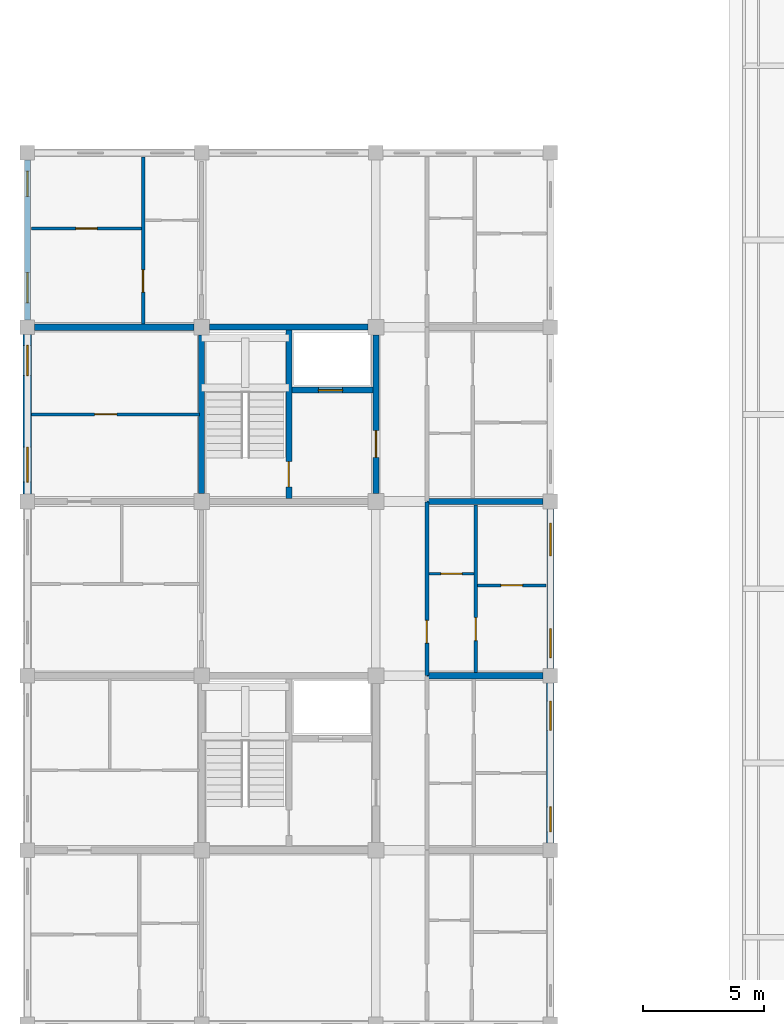
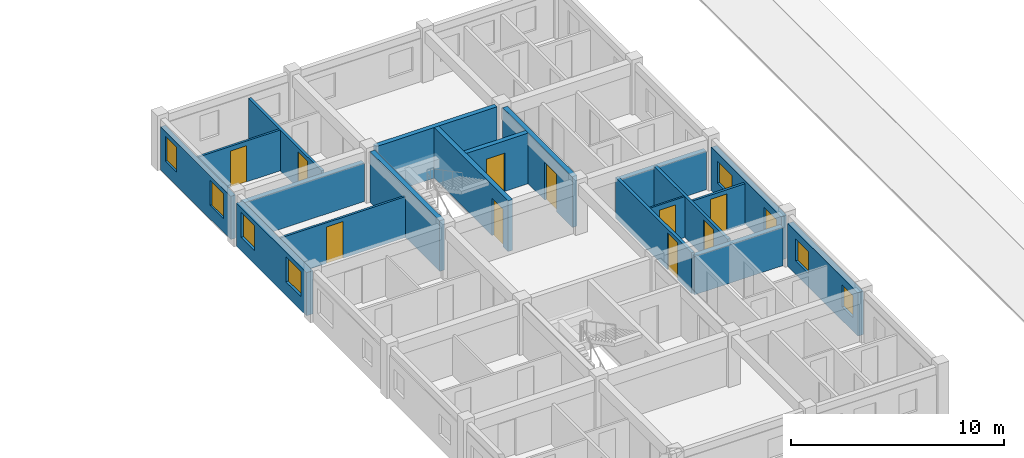
# One storey, part 26 of 50: 19 walls, 10 doors, 8 windows, 18 openings.
"""IFC4 building model written with IfcOpenShell, lengths in metres."""

from ifc_helpers import new_model, si_unit, direction, frame, frame_2d, origin, place, context, subcontext, project, spatial, rectangle, extrude, material, layer, layer_set, type_object, element, fill, save


model = new_model("IFC4")

# Units and contexts
model_context = context("Model", 3, precision=1e-05, world=origin(), true_north=direction((0.0, 1.0)))
body_context = subcontext(model_context, "Body", "Model", "MODEL_VIEW")
ifc_project = project(units=[si_unit("LENGTHUNIT", "METRE"), si_unit("AREAUNIT", "SQUARE_METRE"), si_unit("VOLUMEUNIT", "CUBIC_METRE"), si_unit("PLANEANGLEUNIT", "RADIAN"), si_unit("MASSUNIT", "GRAM", prefix="KILO"), si_unit("THERMODYNAMICTEMPERATUREUNIT", "KELVIN"), si_unit("POWERUNIT", "WATT")], contexts=[model_context])

# Site, building, storey
site_placement = place(None, origin())
site = spatial("IfcSite", under=ifc_project, at=site_placement, CompositionType="ELEMENT")
building_placement = place(site_placement, origin())
building = spatial("IfcBuilding", under=site, at=building_placement, Name="Tavuni Mirador Residences", CompositionType="ELEMENT")
storey_placement = place(building_placement, frame((0.0, 0.0, 4.5)))
storey = spatial("IfcBuildingStorey", under=building, at=storey_placement, Name="L01", CompositionType="ELEMENT", Elevation=4.5)

# Walls
ifc_material_1 = material(Name="Precast concrete C40/50", Category="concrete")
ifc_layer_1 = layer(ifc_material_1, 0.25, Name="Precast concrete C40/50", Category="concrete")
ifc_layer_set_1 = layer_set([ifc_layer_1], Name="Precast concrete C40/50")
wall_type_1 = type_object("IfcWallType", Name="WT-COR250", PredefinedType="SHEAR", material=ifc_layer_set_1)
wall_1_placement = place(storey_placement, frame((10.800048828125, 86.72509765625, 0.0), z_axis=(0.0, 0.0, 1.0), x_axis=(0.0, 1.0, 0.0)))
element("IfcWall", 1, at=wall_1_placement, inside=storey, type_object=wall_type_1, Name="CWALL-C4-L01-W", PredefinedType="SHEAR", context=body_context, shape_type="SweptSolid", body=[
    extrude(rectangle(XDim=6.5498046875, YDim=0.25, at=frame_2d((3.27490234375, 0.0))), origin(), (0.0, 0.0, 1.0), 2.909912109375),
])
wall_2_placement = place(storey_placement, frame((11.125, 93.60009765625, 0.0), z_axis=(0.0, 0.0, 1.0), x_axis=(1.0, 0.0, 0.0)))
element("IfcWall", 2, at=wall_2_placement, inside=storey, type_object=wall_type_1, Name="CWALL-C4-L01-N", PredefinedType="SHEAR", context=body_context, shape_type="SweptSolid", body=[
    extrude(rectangle(XDim=6.550048828125, YDim=0.25, at=frame_2d((3.27490234375, 0.0))), origin(), (0.0, 0.0, 1.0), 2.909912109375),
])

# Wall, opening, door
wall_3_placement = place(storey_placement, frame((18.0, 86.72509765625, 0.0), z_axis=(0.0, 0.0, 1.0), x_axis=(0.0, 1.0, 0.0)))
wall_3 = element("IfcWall", 3, at=wall_3_placement, inside=storey, type_object=wall_type_1, Name="CWALL-C4-L01-E", PredefinedType="SHEAR", context=body_context, shape_type="SweptSolid", body=[
    extrude(rectangle(XDim=6.5498046875, YDim=0.25, at=frame_2d((3.27490234375, 0.0))), origin(), (0.0, 0.0, 1.0), 2.909912109375),
])
opening_1_placement = place(wall_3_placement, frame((1.5, 0.0, 0.0)))
opening_1 = element("IfcOpeningElement", 4, at=opening_1_placement, cuts=wall_3, Name="Opening D-02", PredefinedType="OPENING", context=body_context, shape_type="SweptSolid", body=[
    extrude(rectangle(XDim=1.10009765625, YDim=2.14990234375, at=frame_2d((0.550048828125, 1.074951171875))), frame((0.0, 0.135009765625, 0.0), z_axis=(0.0, -1.0, 0.0), x_axis=(1.0, 0.0, 0.0)), (0.0, 0.0, 1.0), 0.27001953125),
])
ifc_material_2 = material(Name="Solid core iroko timber", Category="wood")
door_type_1 = type_object("IfcDoorType", Name="DT-LOB1100", OperationType="NOTDEFINED", PredefinedType="DOOR", material=ifc_material_2)
door_1_placement = place(opening_1_placement, frame((1.10009765625, 0.0, 0.0), z_axis=(0.0, 0.0, 1.0), x_axis=(-1.0, 0.0, 0.0)))
door_1 = element("IfcDoor", 5, at=door_1_placement, inside=storey, type_object=door_type_1, Name="DR-2147", OperationType="SINGLE_SWING_RIGHT", OverallHeight=2.14990234375, OverallWidth=1.10009765625, PredefinedType="DOOR", context=body_context, shape_type="SweptSolid", body=[
    extrude(rectangle(XDim=1.10009765625, YDim=2.14990234375, at=frame_2d((0.550048828125, 1.074951171875))), frame((0.0, 0.02490234375, 0.0), z_axis=(0.0, -1.0, 0.0), x_axis=(1.0, 0.0, 0.0)), (0.0, 0.0, 1.0), 0.050048828125),
])
fill(opening_1, door_1)

wall_4_placement = place(storey_placement, frame((14.39990234375, 86.52490234375, 0.0), z_axis=(0.0, 0.0, 1.0), x_axis=(0.0, 1.0, 0.0)))
wall_4 = element("IfcWall", 6, at=wall_4_placement, inside=storey, type_object=wall_type_1, Name="CWALL-C4-L01-MID", PredefinedType="SHEAR", context=body_context, shape_type="SweptSolid", body=[
    extrude(rectangle(XDim=6.9501953125, YDim=0.25, at=frame_2d((3.47509765625, 0.0))), origin(), (0.0, 0.0, 1.0), 2.909912109375),
])
opening_2_placement = place(wall_4_placement, frame((0.47509765625, 0.0, 0.0)))
opening_2 = element("IfcOpeningElement", 7, at=opening_2_placement, cuts=wall_4, Name="Opening D-01", PredefinedType="OPENING", context=body_context, shape_type="SweptSolid", body=[
    extrude(rectangle(XDim=1.050048828125, YDim=2.14990234375, at=frame_2d((0.52490234375, 1.074951171875))), frame((0.0, 0.135009765625, 0.0), z_axis=(0.0, -1.0, 0.0), x_axis=(1.0, 0.0, 0.0)), (0.0, 0.0, 1.0), 0.27001953125),
])
door_type_2 = type_object("IfcDoorType", Name="DT-ST1050", OperationType="NOTDEFINED", PredefinedType="DOOR", material=ifc_material_2)
door_2_placement = place(opening_2_placement, origin())
door_2 = element("IfcDoor", 8, at=door_2_placement, inside=storey, type_object=door_type_2, Name="DR-2148", OperationType="SINGLE_SWING_RIGHT", OverallHeight=2.14990234375, OverallWidth=1.050048828125, PredefinedType="DOOR", context=body_context, shape_type="SweptSolid", body=[
    extrude(rectangle(XDim=1.050048828125, YDim=2.14990234375, at=frame_2d((0.52490234375, 1.074951171875))), frame((0.0, 0.02490234375, 0.0), z_axis=(0.0, -1.0, 0.0), x_axis=(1.0, 0.0, 0.0)), (0.0, 0.0, 1.0), 0.050048828125),
])
fill(opening_2, door_2)

wall_5_placement = place(storey_placement, frame((14.52490234375, 91.0, 0.0), z_axis=(0.0, 0.0, 1.0), x_axis=(1.0, 0.0, 0.0)))
wall_5 = element("IfcWall", 9, at=wall_5_placement, inside=storey, type_object=wall_type_1, Name="CWALL-C4-L01-SHF", PredefinedType="SHEAR", context=body_context, shape_type="SweptSolid", body=[
    extrude(rectangle(XDim=3.35009765625, YDim=0.25, at=frame_2d((1.675048828125, 0.0))), origin(), (0.0, 0.0, 1.0), 2.909912109375),
])
opening_3_placement = place(wall_5_placement, frame((1.10009765625, 0.0, 0.0)))
opening_3 = element("IfcOpeningElement", 10, at=opening_3_placement, cuts=wall_5, Name="Opening LD-02", PredefinedType="OPENING", context=body_context, shape_type="SweptSolid", body=[
    extrude(rectangle(XDim=1.0, YDim=2.199951171875, at=frame_2d((0.5, 1.10009765625))), frame((0.0, 0.135009765625, 0.0), z_axis=(0.0, -1.0, 0.0), x_axis=(1.0, 0.0, 0.0)), (0.0, 0.0, 1.0), 0.27001953125),
])
ifc_material_3 = material(Name="Structural steel S355", Category="steel")
door_type_3 = type_object("IfcDoorType", Name="DT-LD-PAX", OperationType="SLIDING_TO_LEFT", PredefinedType="DOOR", material=ifc_material_3)
door_3_placement = place(opening_3_placement, origin())
door_3 = element("IfcDoor", 11, at=door_3_placement, inside=storey, type_object=door_type_3, Name="Lift landing door PL-B2 L01", OperationType="SLIDING_TO_LEFT", OverallHeight=2.199951171875, OverallWidth=1.0, PredefinedType="DOOR", context=body_context, shape_type="SweptSolid", body=[
    extrude(rectangle(XDim=1.0, YDim=2.199951171875, at=frame_2d((0.5, 1.10009765625))), frame((0.0, 0.02490234375, 0.0), z_axis=(0.0, -1.0, 0.0), x_axis=(1.0, 0.0, 0.0)), (0.0, 0.0, 1.0), 0.050048828125),
])
fill(opening_3, door_3)

ifc_layer_2 = layer(ifc_material_1, 0.1650390625, Name="Precast concrete C40/50", Category="concrete")
ifc_layer_set_2 = layer_set([ifc_layer_2], Name="Precast concrete C40/50")
wall_type_2 = type_object("IfcWallType", Name="WT-CORR165", PredefinedType="PARTITIONING", material=ifc_layer_set_2)
wall_6_placement = place(storey_placement, frame((20.10009765625, 79.219970703125, 0.0), z_axis=(0.0, 0.0, 1.0), x_axis=(0.0, 1.0, 0.0)))
wall_6 = element("IfcWall", 12, at=wall_6_placement, inside=storey, type_object=wall_type_2, Name="CORW-BLK-B-L01-0-02", PredefinedType="PARTITIONING", context=body_context, shape_type="SweptSolid", body=[
    extrude(rectangle(XDim=7.159912109375, YDim=0.1650390625, at=frame_2d((3.580078125, 0.0))), origin(), (0.0, 0.0, 1.0), 2.344970703125),
])
opening_4_placement = place(wall_6_placement, frame((1.330078125, 0.0, 0.0)))
opening_4 = element("IfcOpeningElement", 13, at=opening_4_placement, cuts=wall_6, Name="Opening D-19", PredefinedType="OPENING", context=body_context, shape_type="SweptSolid", body=[
    extrude(rectangle(XDim=0.93994140625, YDim=2.1201171875, at=frame_2d((0.469970703125, 1.06005859375))), frame((0.0, 0.092529296875, 0.0), z_axis=(0.0, -1.0, 0.0), x_axis=(1.0, 0.0, 0.0)), (0.0, 0.0, 1.0), 0.18505859375),
])
door_type_4 = type_object("IfcDoorType", Name="DT-FD60-940", OperationType="NOTDEFINED", PredefinedType="DOOR", material=ifc_material_2)
door_4_placement = place(opening_4_placement, origin())
door_4 = element("IfcDoor", 14, at=door_4_placement, inside=storey, type_object=door_type_4, Name="DR-2539", OperationType="SINGLE_SWING_RIGHT", OverallHeight=2.1201171875, OverallWidth=0.93994140625, PredefinedType="DOOR", context=body_context, shape_type="SweptSolid", body=[
    extrude(rectangle(XDim=0.93994140625, YDim=2.1201171875, at=frame_2d((0.469970703125, 1.06005859375))), frame((0.0, 0.02490234375, 0.0), z_axis=(0.0, -1.0, 0.0), x_axis=(1.0, 0.0, 0.0)), (0.0, 0.0, 1.0), 0.050048828125),
])
fill(opening_4, door_4)

# Wall, openings, windows
ifc_material_4 = material(Name="Sgraffito lime-rendered precast concrete C40/50", Category="concrete")
ifc_layer_3 = layer(ifc_material_4, 0.2548828125, Name="Sgraffito lime-rendered precast concrete C40/50", Category="concrete")
ifc_layer_set_3 = layer_set([ifc_layer_3], Name="Sgraffito lime-rendered precast concrete C40/50")
wall_type_3 = type_object("IfcWallType", Name="WT-EXT-PC255", PredefinedType="SOLIDWALL", material=ifc_layer_set_3)
wall_7_placement = place(storey_placement, frame((3.60009765625, 100.5, 0.0), z_axis=(0.0, 0.0, 1.0), x_axis=(0.0, -1.0, 0.0)))
wall_7 = element("IfcWall", 15, at=wall_7_placement, inside=storey, type_object=wall_type_3, Name="EW-BLK-B-L01-W04", PredefinedType="SOLIDWALL", context=body_context, shape_type="SweptSolid", body=[
    extrude(rectangle(XDim=6.60009765625, YDim=0.2548828125, at=frame_2d((3.300048828125, 0.0))), origin(), (0.0, 0.0, 1.0), 2.47998046875),
])
opening_5_placement = place(wall_7_placement, frame((0.449951171875, 0.0, 0.780029296875)))
opening_5 = element("IfcOpeningElement", 16, at=opening_5_placement, cuts=wall_7, Name="Opening WN-26", PredefinedType="OPENING", context=body_context, shape_type="SweptSolid", body=[
    extrude(rectangle(XDim=1.050048828125, YDim=1.43994140625, at=frame_2d((0.52490234375, 0.719970703125))), frame((0.0, 0.137451171875, 0.0), z_axis=(0.0, -1.0, 0.0), x_axis=(1.0, 0.0, 0.0)), (0.0, 0.0, 1.0), 0.27490234375),
])
opening_6_placement = place(wall_7_placement, frame((4.64990234375, 0.0, 0.780029296875)))
opening_6 = element("IfcOpeningElement", 17, at=opening_6_placement, cuts=wall_7, Name="Opening WN-28", PredefinedType="OPENING", context=body_context, shape_type="SweptSolid", body=[
    extrude(rectangle(XDim=1.25, YDim=1.43994140625, at=frame_2d((0.625, 0.719970703125))), frame((0.0, 0.137451171875, 0.0), z_axis=(0.0, -1.0, 0.0), x_axis=(1.0, 0.0, 0.0)), (0.0, 0.0, 1.0), 0.27490234375),
])
ifc_material_5 = material(Name="Laminated solar-control glass", Category="glass")
window_type_1 = type_object("IfcWindowType", Name="WNT-26", PartitioningType="SINGLE_PANEL", PredefinedType="WINDOW", material=ifc_material_5)
window_1_placement = place(opening_5_placement, origin())
window_1 = element("IfcWindow", 18, at=window_1_placement, inside=storey, type_object=window_type_1, Name="WIN-0594", OverallHeight=1.43994140625, OverallWidth=1.050048828125, PartitioningType="SINGLE_PANEL", PredefinedType="WINDOW", context=body_context, shape_type="SweptSolid", body=[
    extrude(rectangle(XDim=1.050048828125, YDim=1.43994140625, at=frame_2d((0.52490234375, 0.719970703125))), frame((0.0, 0.030029296875, 0.0), z_axis=(0.0, -1.0, 0.0), x_axis=(1.0, 0.0, 0.0)), (0.0, 0.0, 1.0), 0.06005859375),
])
fill(opening_5, window_1)
window_type_2 = type_object("IfcWindowType", Name="WNT-28", PartitioningType="SINGLE_PANEL", PredefinedType="WINDOW", material=ifc_material_5)
window_2_placement = place(opening_6_placement, origin())
window_2 = element("IfcWindow", 19, at=window_2_placement, inside=storey, type_object=window_type_2, Name="WIN-0595", OverallHeight=1.43994140625, OverallWidth=1.25, PartitioningType="SINGLE_PANEL", PredefinedType="WINDOW", context=body_context, shape_type="SweptSolid", body=[
    extrude(rectangle(XDim=1.25, YDim=1.43994140625, at=frame_2d((0.625, 0.719970703125))), frame((0.0, 0.030029296875, 0.0), z_axis=(0.0, -1.0, 0.0), x_axis=(1.0, 0.0, 0.0)), (0.0, 0.0, 1.0), 0.06005859375),
])
fill(opening_6, window_2)

ifc_layer_4 = layer(ifc_material_4, 0.2900390625, Name="Sgraffito lime-rendered precast concrete C40/50", Category="concrete")
ifc_layer_set_4 = layer_set([ifc_layer_4], Name="Sgraffito lime-rendered precast concrete C40/50")
wall_type_4 = type_object("IfcWallType", Name="WT-EXT-PC290", PredefinedType="SOLIDWALL", material=ifc_layer_set_4)
wall_8_placement = place(storey_placement, frame((25.199951171875, 79.5, 0.0), z_axis=(0.0, 0.0, 1.0), x_axis=(0.0, 1.0, 0.0)))
wall_8 = element("IfcWall", 20, at=wall_8_placement, inside=storey, type_object=wall_type_4, Name="EW-BLK-B-L01-E02", PredefinedType="SOLIDWALL", context=body_context, shape_type="SweptSolid", body=[
    extrude(rectangle(XDim=6.60009765625, YDim=0.2900390625, at=frame_2d((3.300048828125, 0.0))), origin(), (0.0, 0.0, 1.0), 2.47998046875),
])
opening_7_placement = place(wall_8_placement, frame((0.449951171875, 0.0, 0.780029296875)))
opening_7 = element("IfcOpeningElement", 21, at=opening_7_placement, cuts=wall_8, Name="Opening WN-13", PredefinedType="OPENING", context=body_context, shape_type="SweptSolid", body=[
    extrude(rectangle(XDim=1.199951171875, YDim=1.260009765625, at=frame_2d((0.60009765625, 0.6298828125))), frame((0.0, 0.155029296875, 0.0), z_axis=(0.0, -1.0, 0.0), x_axis=(1.0, 0.0, 0.0)), (0.0, 0.0, 1.0), 0.31005859375),
])
opening_8_placement = place(wall_8_placement, frame((4.64990234375, 0.0, 0.780029296875)))
opening_8 = element("IfcOpeningElement", 22, at=opening_8_placement, cuts=wall_8, Name="Opening WN-15", PredefinedType="OPENING", context=body_context, shape_type="SweptSolid", body=[
    extrude(rectangle(XDim=1.360107421875, YDim=1.260009765625, at=frame_2d((0.68017578125, 0.6298828125))), frame((0.0, 0.155029296875, 0.0), z_axis=(0.0, -1.0, 0.0), x_axis=(1.0, 0.0, 0.0)), (0.0, 0.0, 1.0), 0.31005859375),
])
window_type_3 = type_object("IfcWindowType", Name="WNT-13", PartitioningType="SINGLE_PANEL", PredefinedType="WINDOW", material=ifc_material_5)
window_3_placement = place(opening_7_placement, origin())
window_3 = element("IfcWindow", 23, at=window_3_placement, inside=storey, type_object=window_type_3, Name="WIN-0581", OverallHeight=1.260009765625, OverallWidth=1.199951171875, PartitioningType="SINGLE_PANEL", PredefinedType="WINDOW", context=body_context, shape_type="SweptSolid", body=[
    extrude(rectangle(XDim=1.199951171875, YDim=1.260009765625, at=frame_2d((0.60009765625, 0.6298828125))), frame((0.0, 0.030029296875, 0.0), z_axis=(0.0, -1.0, 0.0), x_axis=(1.0, 0.0, 0.0)), (0.0, 0.0, 1.0), 0.06005859375),
])
fill(opening_7, window_3)
window_type_4 = type_object("IfcWindowType", Name="WNT-15", PartitioningType="SINGLE_PANEL", PredefinedType="WINDOW", material=ifc_material_5)
window_4_placement = place(opening_8_placement, origin())
window_4 = element("IfcWindow", 24, at=window_4_placement, inside=storey, type_object=window_type_4, Name="WIN-0582", OverallHeight=1.260009765625, OverallWidth=1.360107421875, PartitioningType="SINGLE_PANEL", PredefinedType="WINDOW", context=body_context, shape_type="SweptSolid", body=[
    extrude(rectangle(XDim=1.360107421875, YDim=1.260009765625, at=frame_2d((0.68017578125, 0.6298828125))), frame((0.0, 0.030029296875, 0.0), z_axis=(0.0, -1.0, 0.0), x_axis=(1.0, 0.0, 0.0)), (0.0, 0.0, 1.0), 0.06005859375),
])
fill(opening_8, window_4)

ifc_layer_5 = layer(ifc_material_4, 0.304931640625, Name="Sgraffito lime-rendered precast concrete C40/50", Category="concrete")
ifc_layer_set_5 = layer_set([ifc_layer_5], Name="Sgraffito lime-rendered precast concrete C40/50")
wall_type_5 = type_object("IfcWallType", Name="WT-EXT-PC305", PredefinedType="SOLIDWALL", material=ifc_layer_set_5)
wall_9_placement = place(storey_placement, frame((25.199951171875, 72.300048828125, 0.0), z_axis=(0.0, 0.0, 1.0), x_axis=(0.0, 1.0, 0.0)))
wall_9 = element("IfcWall", 25, at=wall_9_placement, inside=storey, type_object=wall_type_5, Name="EW-BLK-B-L01-E01", PredefinedType="SOLIDWALL", context=body_context, shape_type="SweptSolid", body=[
    extrude(rectangle(XDim=6.599853515625, YDim=0.304931640625, at=frame_2d((3.2998046875, 0.0))), origin(), (0.0, 0.0, 1.0), 2.47998046875),
])
opening_9_placement = place(wall_9_placement, frame((0.449951171875, 0.0, 0.780029296875)))
opening_9 = element("IfcOpeningElement", 26, at=opening_9_placement, cuts=wall_9, Name="Opening WN-11", PredefinedType="OPENING", context=body_context, shape_type="SweptSolid", body=[
    extrude(rectangle(XDim=1.0400390625, YDim=1.260009765625, at=frame_2d((0.52001953125, 0.6298828125))), frame((0.0, 0.16259765625, 0.0), z_axis=(0.0, -1.0, 0.0), x_axis=(1.0, 0.0, 0.0)), (0.0, 0.0, 1.0), 0.324951171875),
])
opening_10_placement = place(wall_9_placement, frame((4.64990234375, 0.0, 0.780029296875)))
opening_10 = element("IfcOpeningElement", 27, at=opening_10_placement, cuts=wall_9, Name="Opening WN-13", PredefinedType="OPENING", context=body_context, shape_type="SweptSolid", body=[
    extrude(rectangle(XDim=1.199951171875, YDim=1.260009765625, at=frame_2d((0.60009765625, 0.6298828125))), frame((0.0, 0.16259765625, 0.0), z_axis=(0.0, -1.0, 0.0), x_axis=(1.0, 0.0, 0.0)), (0.0, 0.0, 1.0), 0.324951171875),
])
window_type_5 = type_object("IfcWindowType", Name="WNT-11", PartitioningType="SINGLE_PANEL", PredefinedType="WINDOW", material=ifc_material_5)
window_5_placement = place(opening_9_placement, origin())
window_5 = element("IfcWindow", 28, at=window_5_placement, inside=storey, type_object=window_type_5, Name="WIN-0579", OverallHeight=1.260009765625, OverallWidth=1.0400390625, PartitioningType="SINGLE_PANEL", PredefinedType="WINDOW", context=body_context, shape_type="SweptSolid", body=[
    extrude(rectangle(XDim=1.0400390625, YDim=1.260009765625, at=frame_2d((0.52001953125, 0.6298828125))), frame((0.0, 0.030029296875, 0.0), z_axis=(0.0, -1.0, 0.0), x_axis=(1.0, 0.0, 0.0)), (0.0, 0.0, 1.0), 0.06005859375),
])
fill(opening_9, window_5)
window_6_placement = place(opening_10_placement, origin())
window_6 = element("IfcWindow", 29, at=window_6_placement, inside=storey, type_object=window_type_3, Name="WIN-0580", OverallHeight=1.260009765625, OverallWidth=1.199951171875, PartitioningType="SINGLE_PANEL", PredefinedType="WINDOW", context=body_context, shape_type="SweptSolid", body=[
    extrude(rectangle(XDim=1.199951171875, YDim=1.260009765625, at=frame_2d((0.60009765625, 0.6298828125))), frame((0.0, 0.030029296875, 0.0), z_axis=(0.0, -1.0, 0.0), x_axis=(1.0, 0.0, 0.0)), (0.0, 0.0, 1.0), 0.06005859375),
])
fill(opening_10, window_6)

ifc_layer_6 = layer(ifc_material_4, 0.344970703125, Name="Sgraffito lime-rendered precast concrete C40/50", Category="concrete")
ifc_layer_set_6 = layer_set([ifc_layer_6], Name="Sgraffito lime-rendered precast concrete C40/50")
wall_type_6 = type_object("IfcWallType", Name="WT-EXT-PTY345", PredefinedType="SOLIDWALL", material=ifc_layer_set_6)
wall_10_placement = place(storey_placement, frame((3.60009765625, 93.300048828125, 0.0), z_axis=(0.0, 0.0, 1.0), x_axis=(0.0, -1.0, 0.0)))
wall_10 = element("IfcWall", 30, at=wall_10_placement, inside=storey, type_object=wall_type_6, Name="EW-BLK-B-L01-W03", PredefinedType="SOLIDWALL", context=body_context, shape_type="SweptSolid", body=[
    extrude(rectangle(XDim=6.60009765625, YDim=0.344970703125, at=frame_2d((3.300048828125, 0.0))), origin(), (0.0, 0.0, 1.0), 2.47998046875),
])
opening_11_placement = place(wall_10_placement, frame((0.449951171875, 0.0, 0.780029296875)))
opening_11 = element("IfcOpeningElement", 31, at=opening_11_placement, cuts=wall_10, Name="Opening WN-28", PredefinedType="OPENING", context=body_context, shape_type="SweptSolid", body=[
    extrude(rectangle(XDim=1.25, YDim=1.43994140625, at=frame_2d((0.625, 0.719970703125))), frame((0.0, 0.1826171875, 0.0), z_axis=(0.0, -1.0, 0.0), x_axis=(1.0, 0.0, 0.0)), (0.0, 0.0, 1.0), 0.364990234375),
])
opening_12_placement = place(wall_10_placement, frame((4.64990234375, 0.0, 0.780029296875)))
opening_12 = element("IfcOpeningElement", 32, at=opening_12_placement, cuts=wall_10, Name="Opening WN-30", PredefinedType="OPENING", context=body_context, shape_type="SweptSolid", body=[
    extrude(rectangle(XDim=1.449951171875, YDim=1.43994140625, at=frame_2d((0.72509765625, 0.719970703125))), frame((0.0, 0.1826171875, 0.0), z_axis=(0.0, -1.0, 0.0), x_axis=(1.0, 0.0, 0.0)), (0.0, 0.0, 1.0), 0.364990234375),
])
window_7_placement = place(opening_11_placement, origin())
window_7 = element("IfcWindow", 33, at=window_7_placement, inside=storey, type_object=window_type_2, Name="WIN-0596", OverallHeight=1.43994140625, OverallWidth=1.25, PartitioningType="SINGLE_PANEL", PredefinedType="WINDOW", context=body_context, shape_type="SweptSolid", body=[
    extrude(rectangle(XDim=1.25, YDim=1.43994140625, at=frame_2d((0.625, 0.719970703125))), frame((0.0, 0.030029296875, 0.0), z_axis=(0.0, -1.0, 0.0), x_axis=(1.0, 0.0, 0.0)), (0.0, 0.0, 1.0), 0.06005859375),
])
fill(opening_11, window_7)
window_type_6 = type_object("IfcWindowType", Name="WNT-30", PartitioningType="SINGLE_PANEL", PredefinedType="WINDOW", material=ifc_material_5)
window_8_placement = place(opening_12_placement, origin())
window_8 = element("IfcWindow", 34, at=window_8_placement, inside=storey, type_object=window_type_6, Name="WIN-0597", OverallHeight=1.43994140625, OverallWidth=1.449951171875, PartitioningType="SINGLE_PANEL", PredefinedType="WINDOW", context=body_context, shape_type="SweptSolid", body=[
    extrude(rectangle(XDim=1.449951171875, YDim=1.43994140625, at=frame_2d((0.72509765625, 0.719970703125))), frame((0.0, 0.030029296875, 0.0), z_axis=(0.0, -1.0, 0.0), x_axis=(1.0, 0.0, 0.0)), (0.0, 0.0, 1.0), 0.06005859375),
])
fill(opening_12, window_8)

# Wall, opening, door
ifc_material_6 = material(Name="Acoustic gypsum and concrete block partition", Category="concrete")
ifc_layer_7 = layer(ifc_material_6, 0.094970703125, Name="Acoustic gypsum and concrete block partition", Category="concrete")
ifc_layer_set_7 = layer_set([ifc_layer_7], Name="Acoustic gypsum and concrete block partition")
wall_type_7 = type_object("IfcWallType", Name="WT-PART095", PredefinedType="PARTITIONING", material=ifc_layer_set_7)
wall_11_placement = place(storey_placement, frame((20.18994140625, 83.419921875, 0.0), z_axis=(0.0, 0.0, 1.0), x_axis=(1.0, 0.0, 0.0)))
wall_11 = element("IfcWall", 35, at=wall_11_placement, inside=storey, type_object=wall_type_7, Name="PW-BLK-B-L01-E02-IN1", PredefinedType="PARTITIONING", context=body_context, shape_type="SweptSolid", body=[
    extrude(rectangle(XDim=1.860107421875, YDim=0.094970703125, at=frame_2d((0.93017578125, 0.0))), origin(), (0.0, 0.0, 1.0), 2.344970703125),
])
opening_13_placement = place(wall_11_placement, frame((0.4951171875, 0.0, 0.0)))
opening_13 = element("IfcOpeningElement", 36, at=opening_13_placement, cuts=wall_11, Name="Opening D-10", PredefinedType="OPENING", context=body_context, shape_type="SweptSolid", body=[
    extrude(rectangle(XDim=0.8701171875, YDim=2.050048828125, at=frame_2d((0.43505859375, 1.02490234375))), frame((0.0, 0.0576171875, 0.0), z_axis=(0.0, -1.0, 0.0), x_axis=(1.0, 0.0, 0.0)), (0.0, 0.0, 1.0), 0.114990234375),
])
door_type_5 = type_object("IfcDoorType", Name="DT-WC870", OperationType="NOTDEFINED", PredefinedType="DOOR", material=ifc_material_2)
door_5_placement = place(opening_13_placement, origin())
door_5 = element("IfcDoor", 37, at=door_5_placement, inside=storey, type_object=door_type_5, Name="DR-3460", OperationType="SINGLE_SWING_RIGHT", OverallHeight=2.050048828125, OverallWidth=0.8701171875, PredefinedType="DOOR", context=body_context, shape_type="SweptSolid", body=[
    extrude(rectangle(XDim=0.8701171875, YDim=2.050048828125, at=frame_2d((0.43505859375, 1.02490234375))), frame((0.0, 0.02490234375, 0.0), z_axis=(0.0, -1.0, 0.0), x_axis=(1.0, 0.0, 0.0)), (0.0, 0.0, 1.0), 0.050048828125),
])
fill(opening_13, door_5)

ifc_layer_8 = layer(ifc_material_6, 0.114990234375, Name="Acoustic gypsum and concrete block partition", Category="concrete")
ifc_layer_set_8 = layer_set([ifc_layer_8], Name="Acoustic gypsum and concrete block partition")
wall_type_8 = type_object("IfcWallType", Name="WT-PART115", PredefinedType="PARTITIONING", material=ifc_layer_set_8)
wall_12_placement = place(storey_placement, frame((3.77490234375, 90.0, 0.0), z_axis=(0.0, 0.0, 1.0), x_axis=(1.0, 0.0, 0.0)))
wall_12 = element("IfcWall", 38, at=wall_12_placement, inside=storey, type_object=wall_type_8, Name="PW-BLK-B-L01-PF03-H", PredefinedType="PARTITIONING", context=body_context, shape_type="SweptSolid", body=[
    extrude(rectangle(XDim=6.93505859375, YDim=0.114990234375, at=frame_2d((3.467529296875, 0.0))), origin(), (0.0, 0.0, 1.0), 2.344970703125),
])
opening_14_placement = place(wall_12_placement, frame((2.60009765625, 0.0, 0.0)))
opening_14 = element("IfcOpeningElement", 39, at=opening_14_placement, cuts=wall_12, Name="Opening D-06", PredefinedType="OPENING", context=body_context, shape_type="SweptSolid", body=[
    extrude(rectangle(XDim=0.919921875, YDim=2.10009765625, at=frame_2d((0.4599609375, 1.050048828125))), frame((0.0, 0.0673828125, 0.0), z_axis=(0.0, -1.0, 0.0), x_axis=(1.0, 0.0, 0.0)), (0.0, 0.0, 1.0), 0.135009765625),
])
door_type_6 = type_object("IfcDoorType", Name="DT-INT920", OperationType="NOTDEFINED", PredefinedType="DOOR", material=ifc_material_2)
door_6_placement = place(opening_14_placement, origin())
door_6 = element("IfcDoor", 40, at=door_6_placement, inside=storey, type_object=door_type_6, Name="DR-3462", OperationType="SINGLE_SWING_RIGHT", OverallHeight=2.10009765625, OverallWidth=0.919921875, PredefinedType="DOOR", context=body_context, shape_type="SweptSolid", body=[
    extrude(rectangle(XDim=0.919921875, YDim=2.10009765625, at=frame_2d((0.4599609375, 1.050048828125))), frame((0.0, 0.02490234375, 0.0), z_axis=(0.0, -1.0, 0.0), x_axis=(1.0, 0.0, 0.0)), (0.0, 0.0, 1.0), 0.050048828125),
])
fill(opening_14, door_6)

wall_13_placement = place(storey_placement, frame((3.77490234375, 97.679931640625, 0.0), z_axis=(0.0, 0.0, 1.0), x_axis=(1.0, 0.0, 0.0)))
wall_13 = element("IfcWall", 41, at=wall_13_placement, inside=storey, type_object=wall_type_8, Name="PW-BLK-B-L01-W04-OUT", PredefinedType="PARTITIONING", context=body_context, shape_type="SweptSolid", body=[
    extrude(rectangle(XDim=4.53515625, YDim=0.114990234375, at=frame_2d((2.267578125, 0.0))), origin(), (0.0, 0.0, 1.0), 2.344970703125),
])
opening_15_placement = place(wall_13_placement, frame((1.827392578125, 0.0, 0.0)))
opening_15 = element("IfcOpeningElement", 42, at=opening_15_placement, cuts=wall_13, Name="Opening D-08", PredefinedType="OPENING", context=body_context, shape_type="SweptSolid", body=[
    extrude(rectangle(XDim=0.8798828125, YDim=2.080078125, at=frame_2d((0.43994140625, 1.0400390625))), frame((0.0, 0.0673828125, 0.0), z_axis=(0.0, -1.0, 0.0), x_axis=(1.0, 0.0, 0.0)), (0.0, 0.0, 1.0), 0.135009765625),
])
door_type_7 = type_object("IfcDoorType", Name="DT-BED880", OperationType="NOTDEFINED", PredefinedType="DOOR", material=ifc_material_2)
door_7_placement = place(opening_15_placement, origin())
door_7 = element("IfcDoor", 43, at=door_7_placement, inside=storey, type_object=door_type_7, Name="DR-3466", OperationType="SINGLE_SWING_RIGHT", OverallHeight=2.080078125, OverallWidth=0.8798828125, PredefinedType="DOOR", context=body_context, shape_type="SweptSolid", body=[
    extrude(rectangle(XDim=0.8798828125, YDim=2.080078125, at=frame_2d((0.43994140625, 1.0400390625))), frame((0.0, 0.02490234375, 0.0), z_axis=(0.0, -1.0, 0.0), x_axis=(1.0, 0.0, 0.0)), (0.0, 0.0, 1.0), 0.050048828125),
])
fill(opening_15, door_7)

ifc_layer_9 = layer(ifc_material_6, 0.125, Name="Acoustic gypsum and concrete block partition", Category="concrete")
ifc_layer_set_9 = layer_set([ifc_layer_9], Name="Acoustic gypsum and concrete block partition")
wall_type_9 = type_object("IfcWallType", Name="WT-PART125", PredefinedType="PARTITIONING", material=ifc_layer_set_9)
wall_14_placement = place(storey_placement, frame((22.18994140625, 82.93994140625, 0.0), z_axis=(0.0, 0.0, 1.0), x_axis=(1.0, 0.0, 0.0)))
wall_14 = element("IfcWall", 44, at=wall_14_placement, inside=storey, type_object=wall_type_9, Name="PW-BLK-B-L01-E02-OUT", PredefinedType="PARTITIONING", context=body_context, shape_type="SweptSolid", body=[
    extrude(rectangle(XDim=2.8349609375, YDim=0.125, at=frame_2d((1.41748046875, 0.0))), origin(), (0.0, 0.0, 1.0), 2.344970703125),
])
opening_16_placement = place(wall_14_placement, frame((0.967529296875, 0.0, 0.0)))
opening_16 = element("IfcOpeningElement", 45, at=opening_16_placement, cuts=wall_14, Name="Opening D-07", PredefinedType="OPENING", context=body_context, shape_type="SweptSolid", body=[
    extrude(rectangle(XDim=0.89990234375, YDim=2.10009765625, at=frame_2d((0.449951171875, 1.050048828125))), frame((0.0, 0.072509765625, 0.0), z_axis=(0.0, -1.0, 0.0), x_axis=(1.0, 0.0, 0.0)), (0.0, 0.0, 1.0), 0.14501953125),
])
door_type_8 = type_object("IfcDoorType", Name="DT-BED900", OperationType="NOTDEFINED", PredefinedType="DOOR", material=ifc_material_2)
door_8_placement = place(opening_16_placement, origin())
door_8 = element("IfcDoor", 46, at=door_8_placement, inside=storey, type_object=door_type_8, Name="DR-3459", OperationType="SINGLE_SWING_LEFT", OverallHeight=2.10009765625, OverallWidth=0.89990234375, PredefinedType="DOOR", context=body_context, shape_type="SweptSolid", body=[
    extrude(rectangle(XDim=0.89990234375, YDim=2.10009765625, at=frame_2d((0.449951171875, 1.050048828125))), frame((0.0, 0.02490234375, 0.0), z_axis=(0.0, -1.0, 0.0), x_axis=(1.0, 0.0, 0.0)), (0.0, 0.0, 1.0), 0.050048828125),
])
fill(opening_16, door_8)

ifc_layer_10 = layer(ifc_material_6, 0.139892578125, Name="Acoustic gypsum and concrete block partition", Category="concrete")
ifc_layer_set_10 = layer_set([ifc_layer_10], Name="Acoustic gypsum and concrete block partition")
wall_type_10 = type_object("IfcWallType", Name="WT-PART140", PredefinedType="PARTITIONING", material=ifc_layer_set_10)
wall_15_placement = place(storey_placement, frame((8.3798828125, 93.739990234375, 0.0), z_axis=(0.0, 0.0, 1.0), x_axis=(0.0, 1.0, 0.0)))
wall_15 = element("IfcWall", 47, at=wall_15_placement, inside=storey, type_object=wall_type_10, Name="PW-BLK-B-L01-W04-MID", PredefinedType="PARTITIONING", context=body_context, shape_type="SweptSolid", body=[
    extrude(rectangle(XDim=6.885009765625, YDim=0.139892578125, at=frame_2d((3.4423828125, 0.0))), origin(), (0.0, 0.0, 1.0), 2.344970703125),
])
opening_17_placement = place(wall_15_placement, frame((1.31005859375, 0.0, 0.0)))
opening_17 = element("IfcOpeningElement", 48, at=opening_17_placement, cuts=wall_15, Name="Opening D-06", PredefinedType="OPENING", context=body_context, shape_type="SweptSolid", body=[
    extrude(rectangle(XDim=0.919921875, YDim=2.10009765625, at=frame_2d((0.4599609375, 1.050048828125))), frame((0.0, 0.080078125, 0.0), z_axis=(0.0, -1.0, 0.0), x_axis=(1.0, 0.0, 0.0)), (0.0, 0.0, 1.0), 0.159912109375),
])
door_9_placement = place(opening_17_placement, origin())
door_9 = element("IfcDoor", 49, at=door_9_placement, inside=storey, type_object=door_type_6, Name="DR-3468", OperationType="SINGLE_SWING_RIGHT", OverallHeight=2.10009765625, OverallWidth=0.919921875, PredefinedType="DOOR", context=body_context, shape_type="SweptSolid", body=[
    extrude(rectangle(XDim=0.919921875, YDim=2.10009765625, at=frame_2d((0.4599609375, 1.050048828125))), frame((0.0, 0.02490234375, 0.0), z_axis=(0.0, -1.0, 0.0), x_axis=(1.0, 0.0, 0.0)), (0.0, 0.0, 1.0), 0.050048828125),
])
fill(opening_17, door_9)

ifc_layer_11 = layer(ifc_material_6, 0.14990234375, Name="Acoustic gypsum and concrete block partition", Category="concrete")
ifc_layer_set_11 = layer_set([ifc_layer_11], Name="Acoustic gypsum and concrete block partition")
wall_type_11 = type_object("IfcWallType", Name="WT-PART150", PredefinedType="PARTITIONING", material=ifc_layer_set_11)
wall_16_placement = place(storey_placement, frame((22.1201171875, 79.340087890625, 0.0), z_axis=(0.0, 0.0, 1.0), x_axis=(0.0, 1.0, 0.0)))
wall_16 = element("IfcWall", 50, at=wall_16_placement, inside=storey, type_object=wall_type_11, Name="PW-BLK-B-L01-E02-MID", PredefinedType="PARTITIONING", context=body_context, shape_type="SweptSolid", body=[
    extrude(rectangle(XDim=6.919921875, YDim=0.14990234375, at=frame_2d((3.4599609375, 0.0))), origin(), (0.0, 0.0, 1.0), 2.344970703125),
])
opening_18_placement = place(wall_16_placement, frame((1.31005859375, 0.0, 0.0)))
opening_18 = element("IfcOpeningElement", 51, at=opening_18_placement, cuts=wall_16, Name="Opening D-05", PredefinedType="OPENING", context=body_context, shape_type="SweptSolid", body=[
    extrude(rectangle(XDim=0.949951171875, YDim=2.10009765625, at=frame_2d((0.47509765625, 1.050048828125))), frame((0.0, 0.0849609375, 0.0), z_axis=(0.0, -1.0, 0.0), x_axis=(1.0, 0.0, 0.0)), (0.0, 0.0, 1.0), 0.169921875),
])
door_type_9 = type_object("IfcDoorType", Name="DT-INT950", OperationType="NOTDEFINED", PredefinedType="DOOR", material=ifc_material_2)
door_10_placement = place(opening_18_placement, origin())
door_10 = element("IfcDoor", 52, at=door_10_placement, inside=storey, type_object=door_type_9, Name="DR-3461", OperationType="SINGLE_SWING_LEFT", OverallHeight=2.10009765625, OverallWidth=0.949951171875, PredefinedType="DOOR", context=body_context, shape_type="SweptSolid", body=[
    extrude(rectangle(XDim=0.949951171875, YDim=2.10009765625, at=frame_2d((0.47509765625, 1.050048828125))), frame((0.0, 0.02490234375, 0.0), z_axis=(0.0, -1.0, 0.0), x_axis=(1.0, 0.0, 0.0)), (0.0, 0.0, 1.0), 0.050048828125),
])
fill(opening_18, door_10)

# Walls
ifc_layer_12 = layer(ifc_material_1, 0.264892578125, Name="Precast concrete C40/50", Category="concrete")
ifc_layer_set_12 = layer_set([ifc_layer_12], Name="Precast concrete C40/50")
wall_type_12 = type_object("IfcWallType", Name="WT-XW265", PredefinedType="SOLIDWALL", material=ifc_layer_set_12)
for number, where, z_axis, x_axis, name in (
    (53, (20.10009765625, 79.199951171875, 0.0), (0.0, 0.0, 1.0), (1.0, 0.0, 0.0), "XW-BLK-B-L01-E-02"),
    (54, (20.10009765625, 86.39990234375, 0.0), (0.0, 0.0, 1.0), (1.0, 0.0, 0.0), "XW-BLK-B-L01-E-03"),
):
    element("IfcWall", number, at=place(storey_placement, frame(where, z_axis=z_axis, x_axis=x_axis)), inside=storey, type_object=wall_type_12, Name=name, PredefinedType="SOLIDWALL", context=body_context, shape_type="SweptSolid", body=[
        extrude(rectangle(XDim=4.7998046875, YDim=0.264892578125, at=frame_2d((2.39990234375, 0.0))), origin(), (0.0, 0.0, 1.0), 2.2099609375),
    ])
wall_17_placement = place(storey_placement, frame((3.89990234375, 93.60009765625, 0.0), z_axis=(0.0, 0.0, 1.0), x_axis=(1.0, 0.0, 0.0)))
element("IfcWall", 55, at=wall_17_placement, inside=storey, type_object=wall_type_12, Name="XW-BLK-B-L01-W-04", PredefinedType="SOLIDWALL", context=body_context, shape_type="SweptSolid", body=[
    extrude(rectangle(XDim=6.5751953125, YDim=0.264892578125, at=frame_2d((3.28759765625, 0.0))), origin(), (0.0, 0.0, 1.0), 2.2099609375),
])

save(model, "model.ifc")
